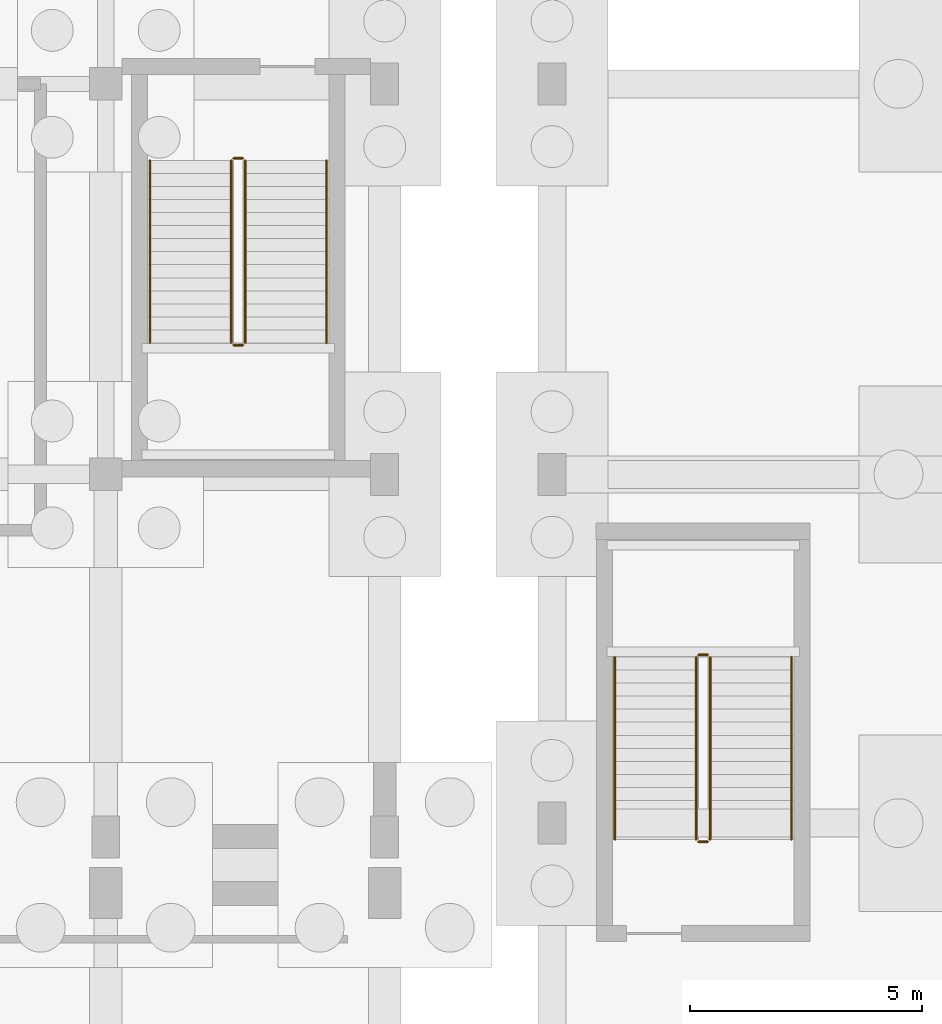
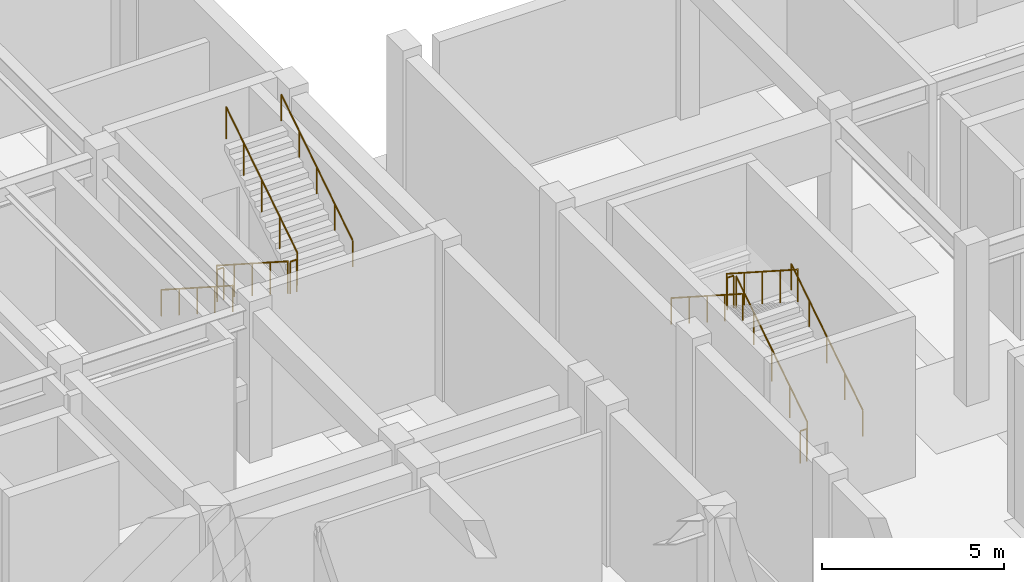
# One storey, part 67 of 69: 12 railings.
"""IFC4 building model written with IfcOpenShell, lengths in metres."""

from ifc_helpers import new_model, si_unit, direction, frame, origin, origin_2d, place, context, subcontext, project, spatial, circle, extrude, material, type_object, element, save


model = new_model("IFC4")

# Units and contexts
model_context = context("Model", 3, precision=1e-05, world=origin(), true_north=direction((0.0, 1.0)))
body_context = subcontext(model_context, "Body", "Model", "MODEL_VIEW")
ifc_project = project(units=[si_unit("LENGTHUNIT", "METRE"), si_unit("AREAUNIT", "SQUARE_METRE"), si_unit("VOLUMEUNIT", "CUBIC_METRE"), si_unit("PLANEANGLEUNIT", "RADIAN"), si_unit("MASSUNIT", "GRAM", prefix="KILO")], contexts=[model_context])

# Site, building, storey
site_placement = place(None, origin())
site = spatial("IfcSite", under=ifc_project, at=site_placement, CompositionType="ELEMENT")
building_placement = place(site_placement, origin())
building = spatial("IfcBuilding", under=site, at=building_placement, Name="Vaelkrest Opera House", CompositionType="ELEMENT")
storey_placement = place(building_placement, frame((0.0, 0.0, -5.39990234375)))
storey = spatial("IfcBuildingStorey", under=building, at=storey_placement, Name="B1", CompositionType="ELEMENT", Elevation=-5.39990234375)

# Railings
ifc_material = material(Name="Dark bronze anodized aluminium", Category="aluminium")
railing_type_1 = type_object("IfcRailingType", Name="GR02", PredefinedType="GUARDRAIL", material=ifc_material)
railing_1_placement = place(storey_placement, frame((26.699951171875, 31.949951171875, 0.179931640625)))
element("IfcRailing", 1, at=railing_1_placement, inside=storey, type_object=railing_type_1, Name="B1 ST06 stair guard 1", PredefinedType="GUARDRAIL", context=body_context, shape_type="SweptSolid", body=[
    extrude(circle(Radius=0.02392578125, at=origin_2d()), frame((0.0, 0.0, 1.076171875), z_axis=(0.0, -0.841171666519, 0.540768182723), x_axis=(1.0, 0.0, 0.0)), (0.0, 0.0, 1.0), 4.66015625),
    extrude(circle(Radius=0.02099609375, at=origin_2d()), origin(), (0.0, 0.0, 1.0), 1.052001953125),
    extrude(circle(Radius=0.02099609375, at=origin_2d()), frame((0.0, -0.97998046875, 0.6298828125)), (0.0, 0.0, 1.0), 1.052001953125),
    extrude(circle(Radius=0.02099609375, at=origin_2d()), frame((0.0, -1.9599609375, 1.260009765625)), (0.0, 0.0, 1.0), 1.052001953125),
    extrude(circle(Radius=0.02099609375, at=origin_2d()), frame((0.0, -2.93994140625, 1.89013671875)), (0.0, 0.0, 1.0), 1.052001953125),
    extrude(circle(Radius=0.02099609375, at=origin_2d()), frame((0.0, -3.919921875, 2.52001953125)), (0.0, 0.0, 1.0), 1.052001953125),
])
railing_2_placement = place(storey_placement, frame((26.75, 27.97998046875, 2.699951171875)))
element("IfcRailing", 2, at=railing_2_placement, inside=storey, type_object=railing_type_1, Name="B1 ST06 stair guard 2", PredefinedType="GUARDRAIL", context=body_context, shape_type="SweptSolid", body=[
    extrude(circle(Radius=0.02392578125, at=origin_2d()), frame((0.0, 0.0, 1.076171875), z_axis=(1.0, 0.0, 0.0), x_axis=(0.0, 1.0, 0.0)), (0.0, 0.0, 1.0), 0.199951171875),
    extrude(circle(Radius=0.02099609375, at=origin_2d()), origin(), (0.0, 0.0, 1.0), 1.052001953125),
    extrude(circle(Radius=0.02099609375, at=origin_2d()), frame((0.199951171875, 0.0, 0.0)), (0.0, 0.0, 1.0), 1.052001953125),
])
railing_3_placement = place(storey_placement, frame((27.0, 28.030029296875, 2.8798828125)))
element("IfcRailing", 3, at=railing_3_placement, inside=storey, type_object=railing_type_1, Name="B1 ST06 stair guard 3", PredefinedType="GUARDRAIL", context=body_context, shape_type="SweptSolid", body=[
    extrude(circle(Radius=0.02392578125, at=origin_2d()), frame((0.0, 0.0, 1.076171875), z_axis=(0.0, 0.841171666519, 0.540768182723), x_axis=(-1.0, 0.0, 0.0)), (0.0, 0.0, 1.0), 4.66015625),
    extrude(circle(Radius=0.02099609375, at=origin_2d()), origin(), (0.0, 0.0, 1.0), 1.052001953125),
    extrude(circle(Radius=0.02099609375, at=origin_2d()), frame((0.0, 0.97998046875, 0.6298828125)), (0.0, 0.0, 1.0), 1.052001953125),
    extrude(circle(Radius=0.02099609375, at=origin_2d()), frame((0.0, 1.9599609375, 1.260009765625)), (0.0, 0.0, 1.0), 1.052001953125),
    extrude(circle(Radius=0.02099609375, at=origin_2d()), frame((0.0, 2.93994140625, 1.89013671875)), (0.0, 0.0, 1.0), 1.052001953125),
    extrude(circle(Radius=0.02099609375, at=origin_2d()), frame((0.0, 3.919921875, 2.52001953125)), (0.0, 0.0, 1.0), 1.052001953125),
])
railing_4_placement = place(storey_placement, frame((26.75, 32.0, 0.0)))
element("IfcRailing", 4, at=railing_4_placement, inside=storey, type_object=railing_type_1, Name="B1 ST06 stair guard 4", PredefinedType="GUARDRAIL", context=body_context, shape_type="SweptSolid", body=[
    extrude(circle(Radius=0.02392578125, at=origin_2d()), frame((0.0, 0.0, 1.076171875), z_axis=(1.0, 0.0, 0.0), x_axis=(0.0, 1.0, 0.0)), (0.0, 0.0, 1.0), 0.199951171875),
    extrude(circle(Radius=0.02099609375, at=origin_2d()), origin(), (0.0, 0.0, 1.0), 1.052001953125),
    extrude(circle(Radius=0.02099609375, at=origin_2d()), frame((0.199951171875, 0.0, 0.0)), (0.0, 0.0, 1.0), 1.052001953125),
])
railing_5_placement = place(storey_placement, frame((37.0, 17.35009765625, 0.179931640625)))
element("IfcRailing", 5, at=railing_5_placement, inside=storey, type_object=railing_type_1, Name="B1 ST09 stair guard 1", PredefinedType="GUARDRAIL", context=body_context, shape_type="SweptSolid", body=[
    extrude(circle(Radius=0.02392578125, at=origin_2d()), frame((0.0, 0.0, 1.076171875), z_axis=(0.0, 0.841171666519, 0.540768182723), x_axis=(-1.0, 0.0, 0.0)), (0.0, 0.0, 1.0), 4.66015625),
    extrude(circle(Radius=0.02099609375, at=origin_2d()), origin(), (0.0, 0.0, 1.0), 1.052001953125),
    extrude(circle(Radius=0.02099609375, at=origin_2d()), frame((0.0, 0.97998046875, 0.6298828125)), (0.0, 0.0, 1.0), 1.052001953125),
    extrude(circle(Radius=0.02099609375, at=origin_2d()), frame((0.0, 1.9599609375, 1.260009765625)), (0.0, 0.0, 1.0), 1.052001953125),
    extrude(circle(Radius=0.02099609375, at=origin_2d()), frame((0.0, 2.93994140625, 1.89013671875)), (0.0, 0.0, 1.0), 1.052001953125),
    extrude(circle(Radius=0.02099609375, at=origin_2d()), frame((0.0, 3.919921875, 2.52001953125)), (0.0, 0.0, 1.0), 1.052001953125),
])
railing_6_placement = place(storey_placement, frame((36.949951171875, 21.320068359375, 2.699951171875)))
element("IfcRailing", 6, at=railing_6_placement, inside=storey, type_object=railing_type_1, Name="B1 ST09 stair guard 2", PredefinedType="GUARDRAIL", context=body_context, shape_type="SweptSolid", body=[
    extrude(circle(Radius=0.02392578125, at=origin_2d()), frame((0.0, 0.0, 1.076171875), z_axis=(-1.0, 0.0, 0.0), x_axis=(0.0, -1.0, 0.0)), (0.0, 0.0, 1.0), 0.199951171875),
    extrude(circle(Radius=0.02099609375, at=origin_2d()), origin(), (0.0, 0.0, 1.0), 1.052001953125),
    extrude(circle(Radius=0.02099609375, at=origin_2d()), frame((-0.199951171875, 0.0, 0.0)), (0.0, 0.0, 1.0), 1.052001953125),
])
railing_7_placement = place(storey_placement, frame((36.699951171875, 21.27001953125, 2.8798828125)))
element("IfcRailing", 7, at=railing_7_placement, inside=storey, type_object=railing_type_1, Name="B1 ST09 stair guard 3", PredefinedType="GUARDRAIL", context=body_context, shape_type="SweptSolid", body=[
    extrude(circle(Radius=0.02392578125, at=origin_2d()), frame((0.0, 0.0, 1.076171875), z_axis=(0.0, -0.841171666519, 0.540768182723), x_axis=(1.0, 0.0, 0.0)), (0.0, 0.0, 1.0), 4.66015625),
    extrude(circle(Radius=0.02099609375, at=origin_2d()), origin(), (0.0, 0.0, 1.0), 1.052001953125),
    extrude(circle(Radius=0.02099609375, at=origin_2d()), frame((0.0, -0.97998046875, 0.6298828125)), (0.0, 0.0, 1.0), 1.052001953125),
    extrude(circle(Radius=0.02099609375, at=origin_2d()), frame((0.0, -1.9599609375, 1.260009765625)), (0.0, 0.0, 1.0), 1.052001953125),
    extrude(circle(Radius=0.02099609375, at=origin_2d()), frame((0.0, -2.93994140625, 1.89013671875)), (0.0, 0.0, 1.0), 1.052001953125),
    extrude(circle(Radius=0.02099609375, at=origin_2d()), frame((0.0, -3.919921875, 2.52001953125)), (0.0, 0.0, 1.0), 1.052001953125),
])
railing_8_placement = place(storey_placement, frame((36.949951171875, 17.300048828125, 0.0)))
element("IfcRailing", 8, at=railing_8_placement, inside=storey, type_object=railing_type_1, Name="B1 ST09 stair guard 4", PredefinedType="GUARDRAIL", context=body_context, shape_type="SweptSolid", body=[
    extrude(circle(Radius=0.02392578125, at=origin_2d()), frame((0.0, 0.0, 1.076171875), z_axis=(-1.0, 0.0, 0.0), x_axis=(0.0, -1.0, 0.0)), (0.0, 0.0, 1.0), 0.199951171875),
    extrude(circle(Radius=0.02099609375, at=origin_2d()), origin(), (0.0, 0.0, 1.0), 1.052001953125),
    extrude(circle(Radius=0.02099609375, at=origin_2d()), frame((-0.199951171875, 0.0, 0.0)), (0.0, 0.0, 1.0), 1.052001953125),
])
railing_type_2 = type_object("IfcRailingType", Name="HR02", PredefinedType="HANDRAIL", material=ifc_material)
railing_9_placement = place(storey_placement, frame((24.949951171875, 31.949951171875, 0.179931640625)))
element("IfcRailing", 9, at=railing_9_placement, inside=storey, type_object=railing_type_2, Name="B1 ST06 stair handrail 1", PredefinedType="HANDRAIL", context=body_context, shape_type="SweptSolid", body=[
    extrude(circle(Radius=0.02392578125, at=origin_2d()), frame((0.0, 0.0, 0.8759765625), z_axis=(0.0, -0.841171666519, 0.540768182723), x_axis=(1.0, 0.0, 0.0)), (0.0, 0.0, 1.0), 4.66015625),
    extrude(circle(Radius=0.02099609375, at=origin_2d()), origin(), (0.0, 0.0, 1.0), 0.851806640625),
    extrude(circle(Radius=0.02099609375, at=origin_2d()), frame((0.0, -0.97998046875, 0.6298828125)), (0.0, 0.0, 1.0), 0.851806640625),
    extrude(circle(Radius=0.02099609375, at=origin_2d()), frame((0.0, -1.9599609375, 1.260009765625)), (0.0, 0.0, 1.0), 0.851806640625),
    extrude(circle(Radius=0.02099609375, at=origin_2d()), frame((0.0, -2.93994140625, 1.89013671875)), (0.0, 0.0, 1.0), 0.851806640625),
    extrude(circle(Radius=0.02099609375, at=origin_2d()), frame((0.0, -3.919921875, 2.52001953125)), (0.0, 0.0, 1.0), 0.851806640625),
])
for number, where, name in (
    (10, (28.75, 28.030029296875, 2.8798828125), "B1 ST06 stair handrail 2"),
    (11, (38.75, 17.35009765625, 0.179931640625), "B1 ST09 stair handrail 1"),
):
    element("IfcRailing", number, at=place(storey_placement, frame(where)), inside=storey, type_object=railing_type_2, Name=name, PredefinedType="HANDRAIL", context=body_context, shape_type="SweptSolid", body=[
        extrude(circle(Radius=0.02392578125, at=origin_2d()), frame((0.0, 0.0, 0.8759765625), z_axis=(0.0, 0.841171666519, 0.540768182723), x_axis=(-1.0, 0.0, 0.0)), (0.0, 0.0, 1.0), 4.66015625),
        extrude(circle(Radius=0.02099609375, at=origin_2d()), origin(), (0.0, 0.0, 1.0), 0.851806640625),
        extrude(circle(Radius=0.02099609375, at=origin_2d()), frame((0.0, 0.97998046875, 0.6298828125)), (0.0, 0.0, 1.0), 0.851806640625),
        extrude(circle(Radius=0.02099609375, at=origin_2d()), frame((0.0, 1.9599609375, 1.260009765625)), (0.0, 0.0, 1.0), 0.851806640625),
        extrude(circle(Radius=0.02099609375, at=origin_2d()), frame((0.0, 2.93994140625, 1.89013671875)), (0.0, 0.0, 1.0), 0.851806640625),
        extrude(circle(Radius=0.02099609375, at=origin_2d()), frame((0.0, 3.919921875, 2.52001953125)), (0.0, 0.0, 1.0), 0.851806640625),
    ])
railing_10_placement = place(storey_placement, frame((34.949951171875, 21.27001953125, 2.8798828125)))
element("IfcRailing", 12, at=railing_10_placement, inside=storey, type_object=railing_type_2, Name="B1 ST09 stair handrail 2", PredefinedType="HANDRAIL", context=body_context, shape_type="SweptSolid", body=[
    extrude(circle(Radius=0.02392578125, at=origin_2d()), frame((0.0, 0.0, 0.8759765625), z_axis=(0.0, -0.841171666519, 0.540768182723), x_axis=(1.0, 0.0, 0.0)), (0.0, 0.0, 1.0), 4.66015625),
    extrude(circle(Radius=0.02099609375, at=origin_2d()), origin(), (0.0, 0.0, 1.0), 0.851806640625),
    extrude(circle(Radius=0.02099609375, at=origin_2d()), frame((0.0, -0.97998046875, 0.6298828125)), (0.0, 0.0, 1.0), 0.851806640625),
    extrude(circle(Radius=0.02099609375, at=origin_2d()), frame((0.0, -1.9599609375, 1.260009765625)), (0.0, 0.0, 1.0), 0.851806640625),
    extrude(circle(Radius=0.02099609375, at=origin_2d()), frame((0.0, -2.93994140625, 1.89013671875)), (0.0, 0.0, 1.0), 0.851806640625),
    extrude(circle(Radius=0.02099609375, at=origin_2d()), frame((0.0, -3.919921875, 2.52001953125)), (0.0, 0.0, 1.0), 0.851806640625),
])

save(model, "model.ifc")
